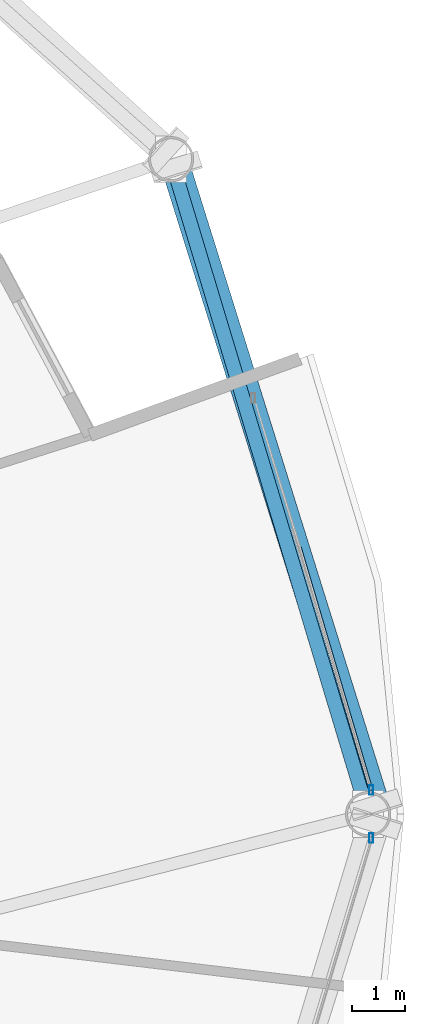
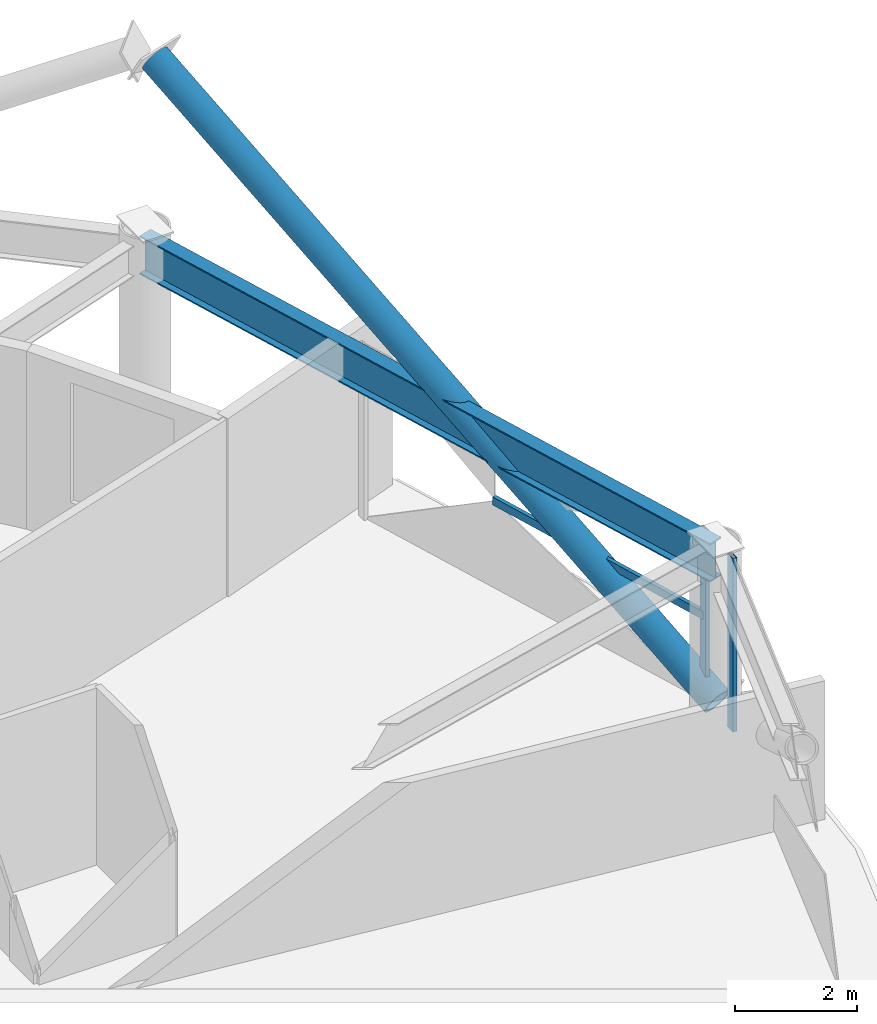
# One storey, part 12 of 33: 4 members, 1 beam, 2 elements without a shape of their own.
"""IFC4 building model written with IfcOpenShell, lengths in metres."""

from ifc_helpers import new_model, si_unit, direction, frame, origin, origin_2d, place, context, subcontext, project, spatial, hollow_rectangle, hollow_circle, i_section, extrude, material, layer, layer_set, material_profile, profile_set, type_object, element, aggregate, save


model = new_model("IFC4")

# Units and contexts
model_context = context("Model", 3, precision=1e-05, world=origin(), true_north=direction((0.0, 1.0)))
body_context = subcontext(model_context, "Body", "Model", "MODEL_VIEW")
ifc_project = project(units=[si_unit("LENGTHUNIT", "METRE"), si_unit("AREAUNIT", "SQUARE_METRE"), si_unit("VOLUMEUNIT", "CUBIC_METRE"), si_unit("PLANEANGLEUNIT", "RADIAN"), si_unit("MASSUNIT", "GRAM", prefix="KILO")], contexts=[model_context])

# Site, building, storey
site_placement = place(None, origin())
site = spatial("IfcSite", under=ifc_project, at=site_placement, CompositionType="ELEMENT")
building_placement = place(site_placement, origin())
building = spatial("IfcBuilding", under=site, at=building_placement, Name="Vantalir Tower", CompositionType="ELEMENT")
storey_placement = place(building_placement, frame((0.0, 0.0, 72.0)))
storey = spatial("IfcBuildingStorey", under=building, at=storey_placement, Name="L17", CompositionType="ELEMENT", Elevation=72.0)

# Beam
ifc_material_1 = material(Name="Steel S460", Category="steel")
ifc_material_profile_1 = material_profile(ifc_material_1, i_section(OverallWidth=0.26806640625, OverallDepth=0.77001953125, WebThickness=0.015625, FlangeThickness=0.025390625, at=origin_2d()), Name="Steel S460")
ifc_profile_set_1 = profile_set([ifc_material_profile_1], Name="Steel S460")
beam_type = type_object("IfcBeamType", Name="BM-RG-762x267", PredefinedType="USERDEFINED", material=ifc_profile_set_1)
beam_placement = place(storey_placement, frame((59.14990234375, 25.0, 3.18505859375), z_axis=(-0.288037579995, 0.957619106175, 0.0), x_axis=(-0.957619106175, -0.288037579995, 0.0)))
element("IfcBeam", 1, at=beam_placement, inside=storey, type_object=beam_type, Name="L17 Circumferential Ring Girder 01", ObjectType="GIRDER", PredefinedType="USERDEFINED", context=body_context, shape_type="SweptSolid", body=[
    extrude(i_section(OverallWidth=0.26806640625, OverallDepth=0.77001953125, WebThickness=0.015625, FlangeThickness=0.025390625, at=origin_2d()), origin(), (0.0, 0.0, 1.0), 12.85888671875),
])

# Curtain wall, member
ifc_material_2 = material(Name="Champagne-silver PVDF aluminium and double-silver Low-E glass", Category="aluminium")
ifc_layer = layer(ifc_material_2, 0.18994140625)
ifc_layer_set = layer_set([ifc_layer], Name="Champagne-silver PVDF aluminium and double-silver Low-E glass")
curtain_wall_type = type_object("IfcCurtainWallType", Name="CW-DIAMOND-Z1", PredefinedType="USERDEFINED", material=ifc_layer_set)
curtain_wall_1_placement = place(storey_placement, origin())
curtain_wall_1 = element("IfcCurtainWall", 2, at=curtain_wall_1_placement, inside=storey, type_object=curtain_wall_type, Name="L17 Quilted Pyramid-Diamond Curtain Wall S01", ObjectType="UNITISED CURTAIN WALL", PredefinedType="USERDEFINED")
ifc_material_3 = material(Name="Champagne-silver PVDF aluminium 6063-T6", Category="aluminium")
ifc_material_profile_2 = material_profile(ifc_material_3, hollow_rectangle(XDim=0.074951171875, YDim=0.179931640625, WallThickness=0.00390625, at=origin_2d()), Name="Champagne-silver PVDF aluminium 6063-T6")
ifc_profile_set_2 = profile_set([ifc_material_profile_2], Name="Champagne-silver PVDF aluminium 6063-T6")
member_type_1 = type_object("IfcMemberType", Name="CWM-180x75", PredefinedType="MULLION", material=ifc_profile_set_2)
member_1_placement = place(storey_placement, frame((59.205078125, 25.449951171875, 0.044921875), z_axis=(0.0, 0.0, 1.0), x_axis=(1.0, 0.0, 0.0)))
member_1 = element("IfcMember", 3, at=member_1_placement, type_object=member_type_1, Name="CW-L17-S01 Mullion 1", PredefinedType="MULLION", context=body_context, shape_type="SweptSolid", body=[
    extrude(hollow_rectangle(XDim=0.074951171875, YDim=0.179931640625, WallThickness=0.00390625, at=origin_2d()), origin(), (0.0, 0.0, 1.0), 3.47998046875),
])

curtain_wall_2_placement = place(storey_placement, origin())
curtain_wall_2 = element("IfcCurtainWall", 4, at=curtain_wall_2_placement, inside=storey, type_object=curtain_wall_type, Name="L17 Quilted Pyramid-Diamond Curtain Wall S12", ObjectType="UNITISED CURTAIN WALL", PredefinedType="USERDEFINED")
member_2_placement = place(storey_placement, frame((59.205078125, 24.550048828125, 0.044921875), z_axis=(0.0, 0.0, 1.0), x_axis=(1.0, 0.0, 0.0)))
member_2 = element("IfcMember", 5, at=member_2_placement, type_object=member_type_1, Name="CW-L17-S12 Mullion 2", PredefinedType="MULLION", context=body_context, shape_type="SweptSolid", body=[
    extrude(hollow_rectangle(XDim=0.074951171875, YDim=0.179931640625, WallThickness=0.00390625, at=origin_2d()), origin(), (0.0, 0.0, 1.0), 3.47998046875),
])
aggregate(curtain_wall_2, [member_2])

# Member
ifc_material_profile_3 = material_profile(ifc_material_3, hollow_rectangle(XDim=0.074951171875, YDim=0.159912109375, WallThickness=0.00390625, at=origin_2d()), Name="Champagne-silver PVDF aluminium 6063-T6")
ifc_profile_set_3 = profile_set([ifc_material_profile_3], Name="Champagne-silver PVDF aluminium 6063-T6")
member_type_2 = type_object("IfcMemberType", Name="CWT-160x75", PredefinedType="USERDEFINED", material=ifc_profile_set_3)
member_3_placement = place(storey_placement, frame((59.205078125, 25.449951171875, 1.784912109375), z_axis=(-0.283171795541, 0.959069201992, 0.0), x_axis=(-0.959069201992, -0.283171795541, 0.0)))
member_3 = element("IfcMember", 6, at=member_3_placement, type_object=member_type_2, Name="CW-L17-S01 Pyramid Fold Ridge Transom", ObjectType="TRANSOM", PredefinedType="USERDEFINED", context=body_context, shape_type="SweptSolid", body=[
    extrude(hollow_rectangle(XDim=0.074951171875, YDim=0.159912109375, WallThickness=0.00390625, at=origin_2d()), origin(), (0.0, 0.0, 1.0), 4.771240234375),
])

aggregate(curtain_wall_1, [member_1, member_3])

ifc_material_profile_4 = material_profile(ifc_material_1, hollow_circle(Radius=0.27001953125, WallThickness=0.044921875, at=origin_2d()), Name="Steel S460")
ifc_profile_set_4 = profile_set([ifc_material_profile_4], Name="Steel S460")
member_type_3 = type_object("IfcMemberType", Name="MEM-DB-540x45", PredefinedType="BRACE", material=ifc_profile_set_4)
member_4_placement = place(storey_placement, frame((59.282958984375, 25.18408203125, 0.18701171875), z_axis=(-0.261206014595, 0.83496376105, 0.484362401175), x_axis=(-0.954388868851, -0.298566386274, 0.0)))
element("IfcMember", 7, at=member_4_placement, inside=storey, type_object=member_type_3, Name="L17 Perimeter S460 Diagrid Brace R01L", PredefinedType="BRACE", context=body_context, shape_type="SweptSolid", body=[
    extrude(hollow_circle(Radius=0.27001953125, WallThickness=0.044921875, at=origin_2d()), origin(), (0.0, 0.0, 1.0), 14.340576171875),
])

save(model, "model.ifc")
